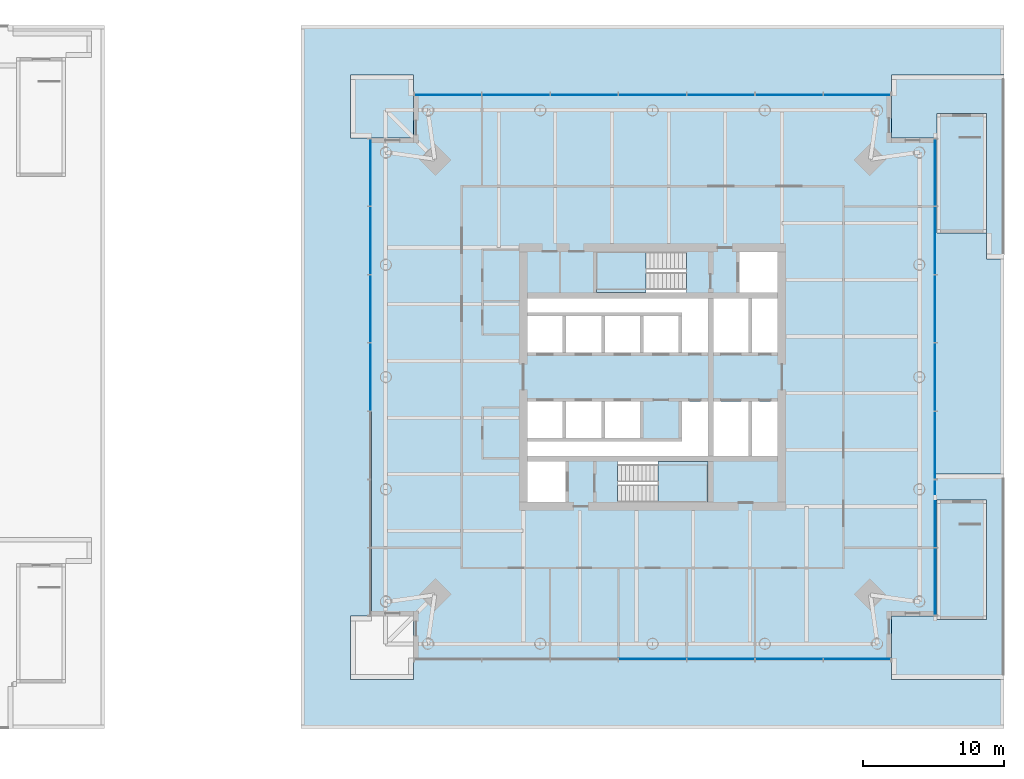
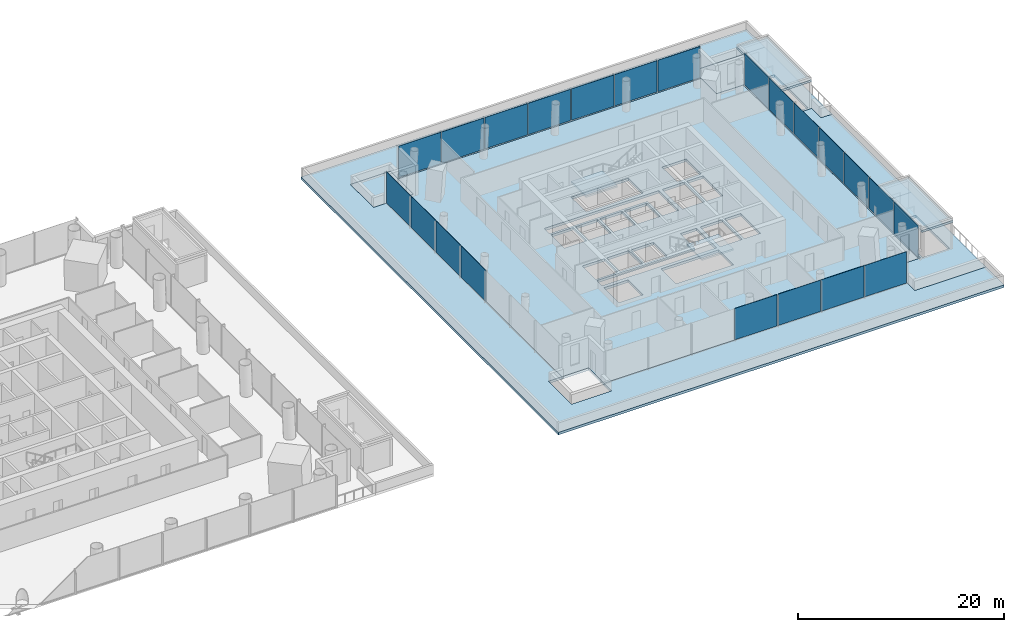
# One storey, part 8 of 19: 22 plates, 11 slabs, 6 elements without a shape of their own.
"""IFC4 building model written with IfcOpenShell, lengths in metres."""

from ifc_helpers import new_model, si_unit, direction, frame, origin, origin_2d, place, context, subcontext, project, spatial, polyline, rectangle, outline, extrude, material, layer, layer_set, type_object, element, aggregate, save


model = new_model("IFC4")

# Units and contexts
model_context = context("Model", 3, precision=1e-05, world=origin(), true_north=direction((0.0, 1.0)))
body_context = subcontext(model_context, "Body", "Model", "MODEL_VIEW")
ifc_project = project(units=[si_unit("LENGTHUNIT", "METRE"), si_unit("AREAUNIT", "SQUARE_METRE"), si_unit("VOLUMEUNIT", "CUBIC_METRE"), si_unit("PLANEANGLEUNIT", "RADIAN"), si_unit("MASSUNIT", "GRAM", prefix="KILO")], contexts=[model_context])

# Site, building, storey
site_placement = place(None, origin())
site = spatial("IfcSite", under=ifc_project, at=site_placement, CompositionType="ELEMENT")
building_placement = place(site_placement, origin())
building = spatial("IfcBuilding", under=site, at=building_placement, Name="Ostroluk Exchange", CompositionType="ELEMENT")
storey_placement = place(building_placement, frame((0.0, 0.0, 21.0)))
storey = spatial("IfcBuildingStorey", under=building, at=storey_placement, Name="L04", CompositionType="ELEMENT", Elevation=21.0)

# Curtain wall, plates
ifc_material_1 = material(Name="Laminated clear glass", Category="glass")
curtain_wall_type = type_object("IfcCurtainWallType", Name="Hotel amenity and plant facade", PredefinedType="USERDEFINED", material=ifc_material_1)
curtain_wall_1_placement = place(storey_placement, origin())
curtain_wall_1 = element("IfcCurtainWall", 1, at=curtain_wall_1_placement, inside=storey, type_object=curtain_wall_type, Name="Hotel tower south facade L04", ObjectType="LOUVRED CURTAIN WALL", PredefinedType="USERDEFINED")
ifc_material_2 = material(Name="Laminated clear glass", Category="glass")
ifc_layer_1 = layer(ifc_material_2, 0.035888671875)
ifc_layer_set_1 = layer_set([ifc_layer_1], Name="Double laminated clear glazing 36")
plate_type = type_object("IfcPlateType", Name="Double laminated clear glazing 36", PredefinedType="CURTAIN_PANEL", material=ifc_layer_set_1)
plate_1_placement = place(storey_placement, frame((117.0, 25.925048828125, 0.080078125), z_axis=(0.0, 0.0, 1.0), x_axis=(1.0, 0.0, 0.0)))
plate_1 = element("IfcPlate", 2, at=plate_1_placement, type_object=plate_type, Name="CW-H2 panel 4.1", PredefinedType="CURTAIN_PANEL", context=body_context, shape_type="SweptSolid", body=[
    extrude(rectangle(XDim=4.777099609375, YDim=0.035888671875, at=origin_2d()), origin(), (0.0, 0.0, 1.0), 3.719970703125),
])
plate_2_placement = place(storey_placement, frame((121.857177734375, 25.925048828125, 0.080078125), z_axis=(0.0, 0.0, 1.0), x_axis=(1.0, 0.0, 0.0)))
plate_2 = element("IfcPlate", 3, at=plate_2_placement, type_object=plate_type, Name="CW-H2 panel 5.1", PredefinedType="CURTAIN_PANEL", context=body_context, shape_type="SweptSolid", body=[
    extrude(rectangle(XDim=4.777099609375, YDim=0.035888671875, at=origin_2d()), origin(), (0.0, 0.0, 1.0), 3.719970703125),
])
plate_3_placement = place(storey_placement, frame((126.71435546875, 25.925048828125, 0.080078125), z_axis=(0.0, 0.0, 1.0), x_axis=(1.0, 0.0, 0.0)))
plate_3 = element("IfcPlate", 4, at=plate_3_placement, type_object=plate_type, Name="CW-H2 panel 6.1", PredefinedType="CURTAIN_PANEL", context=body_context, shape_type="SweptSolid", body=[
    extrude(rectangle(XDim=4.777099609375, YDim=0.035888671875, at=origin_2d()), origin(), (0.0, 0.0, 1.0), 3.719970703125),
])
plate_4_placement = place(storey_placement, frame((131.551513671875, 25.925048828125, 0.080078125), z_axis=(0.0, 0.0, 1.0), x_axis=(1.0, 0.0, 0.0)))
plate_4 = element("IfcPlate", 5, at=plate_4_placement, type_object=plate_type, Name="CW-H2 panel 7.1", PredefinedType="CURTAIN_PANEL", context=body_context, shape_type="SweptSolid", body=[
    extrude(rectangle(XDim=4.737060546875, YDim=0.035888671875, at=origin_2d()), origin(), (0.0, 0.0, 1.0), 3.719970703125),
])
aggregate(curtain_wall_1, [plate_1, plate_2, plate_3, plate_4])

curtain_wall_2_placement = place(storey_placement, origin())
curtain_wall_2 = element("IfcCurtainWall", 6, at=curtain_wall_2_placement, inside=storey, type_object=curtain_wall_type, Name="Hotel tower east facade L04", ObjectType="LOUVRED CURTAIN WALL", PredefinedType="USERDEFINED")
plate_5_placement = place(storey_placement, frame((137.074951171875, 31.448486328125, 0.080078125), z_axis=(0.0, 0.0, 1.0), x_axis=(0.0, 1.0, 0.0)))
plate_5 = element("IfcPlate", 7, at=plate_5_placement, type_object=plate_type, Name="CW-H2 panel 1.1", PredefinedType="CURTAIN_PANEL", context=body_context, shape_type="SweptSolid", body=[
    extrude(rectangle(XDim=4.737060546875, YDim=0.035888671875, at=origin_2d()), origin(), (0.0, 0.0, 1.0), 3.719970703125),
])
plate_6_placement = place(storey_placement, frame((137.074951171875, 36.28564453125, 0.080078125), z_axis=(0.0, 0.0, 1.0), x_axis=(0.0, 1.0, 0.0)))
plate_6 = element("IfcPlate", 8, at=plate_6_placement, type_object=plate_type, Name="CW-H2 panel 2.1", PredefinedType="CURTAIN_PANEL", context=body_context, shape_type="SweptSolid", body=[
    extrude(rectangle(XDim=4.777099609375, YDim=0.035888671875, at=origin_2d()), origin(), (0.0, 0.0, 1.0), 3.719970703125),
])
plate_7_placement = place(storey_placement, frame((137.074951171875, 41.142822265625, 0.080078125), z_axis=(0.0, 0.0, 1.0), x_axis=(0.0, 1.0, 0.0)))
plate_7 = element("IfcPlate", 9, at=plate_7_placement, type_object=plate_type, Name="CW-H2 panel 3.1", PredefinedType="CURTAIN_PANEL", context=body_context, shape_type="SweptSolid", body=[
    extrude(rectangle(XDim=4.777099609375, YDim=0.035888671875, at=origin_2d()), origin(), (0.0, 0.0, 1.0), 3.719970703125),
])
plate_8_placement = place(storey_placement, frame((137.074951171875, 46.0, 0.080078125), z_axis=(0.0, 0.0, 1.0), x_axis=(0.0, 1.0, 0.0)))
plate_8 = element("IfcPlate", 10, at=plate_8_placement, type_object=plate_type, Name="CW-H2 panel 4.1", PredefinedType="CURTAIN_PANEL", context=body_context, shape_type="SweptSolid", body=[
    extrude(rectangle(XDim=4.777099609375, YDim=0.035888671875, at=origin_2d()), origin(), (0.0, 0.0, 1.0), 3.719970703125),
])
plate_9_placement = place(storey_placement, frame((137.074951171875, 50.857177734375, 0.080078125), z_axis=(0.0, 0.0, 1.0), x_axis=(0.0, 1.0, 0.0)))
plate_9 = element("IfcPlate", 11, at=plate_9_placement, type_object=plate_type, Name="CW-H2 panel 5.1", PredefinedType="CURTAIN_PANEL", context=body_context, shape_type="SweptSolid", body=[
    extrude(rectangle(XDim=4.777099609375, YDim=0.035888671875, at=origin_2d()), origin(), (0.0, 0.0, 1.0), 3.719970703125),
])
plate_10_placement = place(storey_placement, frame((137.074951171875, 55.71435546875, 0.080078125), z_axis=(0.0, 0.0, 1.0), x_axis=(0.0, 1.0, 0.0)))
plate_10 = element("IfcPlate", 12, at=plate_10_placement, type_object=plate_type, Name="CW-H2 panel 6.1", PredefinedType="CURTAIN_PANEL", context=body_context, shape_type="SweptSolid", body=[
    extrude(rectangle(XDim=4.777099609375, YDim=0.035888671875, at=origin_2d()), origin(), (0.0, 0.0, 1.0), 3.719970703125),
])
plate_11_placement = place(storey_placement, frame((137.074951171875, 60.551513671875, 0.080078125), z_axis=(0.0, 0.0, 1.0), x_axis=(0.0, 1.0, 0.0)))
plate_11 = element("IfcPlate", 13, at=plate_11_placement, type_object=plate_type, Name="CW-H2 panel 7.1", PredefinedType="CURTAIN_PANEL", context=body_context, shape_type="SweptSolid", body=[
    extrude(rectangle(XDim=4.737060546875, YDim=0.035888671875, at=origin_2d()), origin(), (0.0, 0.0, 1.0), 3.719970703125),
])
aggregate(curtain_wall_2, [plate_5, plate_6, plate_7, plate_8, plate_9, plate_10, plate_11])

curtain_wall_3_placement = place(storey_placement, origin())
curtain_wall_3 = element("IfcCurtainWall", 14, at=curtain_wall_3_placement, inside=storey, type_object=curtain_wall_type, Name="Hotel tower north facade L04", ObjectType="LOUVRED CURTAIN WALL", PredefinedType="USERDEFINED")
plate_12_placement = place(storey_placement, frame((131.551513671875, 66.074951171875, 0.080078125), z_axis=(0.0, 0.0, 1.0), x_axis=(-1.0, 0.0, 0.0)))
plate_12 = element("IfcPlate", 15, at=plate_12_placement, type_object=plate_type, Name="CW-H2 panel 1.1", PredefinedType="CURTAIN_PANEL", context=body_context, shape_type="SweptSolid", body=[
    extrude(rectangle(XDim=4.737060546875, YDim=0.035888671875, at=origin_2d()), origin(), (0.0, 0.0, 1.0), 3.719970703125),
])
plate_13_placement = place(storey_placement, frame((126.71435546875, 66.074951171875, 0.080078125), z_axis=(0.0, 0.0, 1.0), x_axis=(-1.0, 0.0, 0.0)))
plate_13 = element("IfcPlate", 16, at=plate_13_placement, type_object=plate_type, Name="CW-H2 panel 2.1", PredefinedType="CURTAIN_PANEL", context=body_context, shape_type="SweptSolid", body=[
    extrude(rectangle(XDim=4.777099609375, YDim=0.035888671875, at=origin_2d()), origin(), (0.0, 0.0, 1.0), 3.719970703125),
])
plate_14_placement = place(storey_placement, frame((121.857177734375, 66.074951171875, 0.080078125), z_axis=(0.0, 0.0, 1.0), x_axis=(-1.0, 0.0, 0.0)))
plate_14 = element("IfcPlate", 17, at=plate_14_placement, type_object=plate_type, Name="CW-H2 panel 3.1", PredefinedType="CURTAIN_PANEL", context=body_context, shape_type="SweptSolid", body=[
    extrude(rectangle(XDim=4.777099609375, YDim=0.035888671875, at=origin_2d()), origin(), (0.0, 0.0, 1.0), 3.719970703125),
])
plate_15_placement = place(storey_placement, frame((117.0, 66.074951171875, 0.080078125), z_axis=(0.0, 0.0, 1.0), x_axis=(-1.0, 0.0, 0.0)))
plate_15 = element("IfcPlate", 18, at=plate_15_placement, type_object=plate_type, Name="CW-H2 panel 4.1", PredefinedType="CURTAIN_PANEL", context=body_context, shape_type="SweptSolid", body=[
    extrude(rectangle(XDim=4.777099609375, YDim=0.035888671875, at=origin_2d()), origin(), (0.0, 0.0, 1.0), 3.719970703125),
])
plate_16_placement = place(storey_placement, frame((112.142822265625, 66.074951171875, 0.080078125), z_axis=(0.0, 0.0, 1.0), x_axis=(-1.0, 0.0, 0.0)))
plate_16 = element("IfcPlate", 19, at=plate_16_placement, type_object=plate_type, Name="CW-H2 panel 5.1", PredefinedType="CURTAIN_PANEL", context=body_context, shape_type="SweptSolid", body=[
    extrude(rectangle(XDim=4.777099609375, YDim=0.035888671875, at=origin_2d()), origin(), (0.0, 0.0, 1.0), 3.719970703125),
])
plate_17_placement = place(storey_placement, frame((107.28564453125, 66.074951171875, 0.080078125), z_axis=(0.0, 0.0, 1.0), x_axis=(-1.0, 0.0, 0.0)))
plate_17 = element("IfcPlate", 20, at=plate_17_placement, type_object=plate_type, Name="CW-H2 panel 6.1", PredefinedType="CURTAIN_PANEL", context=body_context, shape_type="SweptSolid", body=[
    extrude(rectangle(XDim=4.777099609375, YDim=0.035888671875, at=origin_2d()), origin(), (0.0, 0.0, 1.0), 3.719970703125),
])
plate_18_placement = place(storey_placement, frame((102.448486328125, 66.074951171875, 0.080078125), z_axis=(0.0, 0.0, 1.0), x_axis=(-1.0, 0.0, 0.0)))
plate_18 = element("IfcPlate", 21, at=plate_18_placement, type_object=plate_type, Name="CW-H2 panel 7.1", PredefinedType="CURTAIN_PANEL", context=body_context, shape_type="SweptSolid", body=[
    extrude(rectangle(XDim=4.737060546875, YDim=0.035888671875, at=origin_2d()), origin(), (0.0, 0.0, 1.0), 3.719970703125),
])
aggregate(curtain_wall_3, [plate_12, plate_13, plate_14, plate_15, plate_16, plate_17, plate_18])

curtain_wall_4_placement = place(storey_placement, origin())
curtain_wall_4 = element("IfcCurtainWall", 22, at=curtain_wall_4_placement, inside=storey, type_object=curtain_wall_type, Name="Hotel tower west facade L04", ObjectType="LOUVRED CURTAIN WALL", PredefinedType="USERDEFINED")
plate_19_placement = place(storey_placement, frame((96.925048828125, 60.551513671875, 0.080078125), z_axis=(0.0, 0.0, 1.0), x_axis=(0.0, -1.0, 0.0)))
plate_19 = element("IfcPlate", 23, at=plate_19_placement, type_object=plate_type, Name="CW-H2 panel 1.1", PredefinedType="CURTAIN_PANEL", context=body_context, shape_type="SweptSolid", body=[
    extrude(rectangle(XDim=4.737060546875, YDim=0.035888671875, at=origin_2d()), origin(), (0.0, 0.0, 1.0), 3.719970703125),
])
plate_20_placement = place(storey_placement, frame((96.925048828125, 55.71435546875, 0.080078125), z_axis=(0.0, 0.0, 1.0), x_axis=(0.0, -1.0, 0.0)))
plate_20 = element("IfcPlate", 24, at=plate_20_placement, type_object=plate_type, Name="CW-H2 panel 2.1", PredefinedType="CURTAIN_PANEL", context=body_context, shape_type="SweptSolid", body=[
    extrude(rectangle(XDim=4.777099609375, YDim=0.035888671875, at=origin_2d()), origin(), (0.0, 0.0, 1.0), 3.719970703125),
])
plate_21_placement = place(storey_placement, frame((96.925048828125, 50.857177734375, 0.080078125), z_axis=(0.0, 0.0, 1.0), x_axis=(0.0, -1.0, 0.0)))
plate_21 = element("IfcPlate", 25, at=plate_21_placement, type_object=plate_type, Name="CW-H2 panel 3.1", PredefinedType="CURTAIN_PANEL", context=body_context, shape_type="SweptSolid", body=[
    extrude(rectangle(XDim=4.777099609375, YDim=0.035888671875, at=origin_2d()), origin(), (0.0, 0.0, 1.0), 3.719970703125),
])
plate_22_placement = place(storey_placement, frame((96.925048828125, 46.0, 0.080078125), z_axis=(0.0, 0.0, 1.0), x_axis=(0.0, -1.0, 0.0)))
plate_22 = element("IfcPlate", 26, at=plate_22_placement, type_object=plate_type, Name="CW-H2 panel 4.1", PredefinedType="CURTAIN_PANEL", context=body_context, shape_type="SweptSolid", body=[
    extrude(rectangle(XDim=4.777099609375, YDim=0.035888671875, at=origin_2d()), origin(), (0.0, 0.0, 1.0), 3.719970703125),
])
aggregate(curtain_wall_4, [plate_19, plate_20, plate_21, plate_22])

# Slabs
ifc_material_3 = material(Name="Concrete C35/45", Category="concrete")
ifc_layer_2 = layer(ifc_material_3, 0.300048828125)
ifc_layer_set_2 = layer_set([ifc_layer_2], Name="Extensive green roof slab 300")
slab_type_1 = type_object("IfcSlabType", Name="Extensive green roof slab 300", PredefinedType="ROOF", material=ifc_layer_set_2)
slab_1_placement = place(storey_placement, frame((0.0, 0.0, -0.300048828125)))
element("IfcSlab", 27, at=slab_1_placement, inside=storey, type_object=slab_type_1, Name="Green roof slab L04 east", PredefinedType="ROOF", context=body_context, shape_type="SweptSolid", body=[
    extrude(outline(polyline([(142.0, 71.0), (142.0, 67.5), (134.0, 67.5), (134.0, 66.0), (100.0, 66.0), (100.0, 67.5), (95.5, 67.5), (95.5, 63.0), (97.0, 63.0), (97.0, 29.0), (95.5, 29.0), (95.5, 24.5), (100.0, 24.5), (100.0, 26.0), (134.0, 26.0), (134.0, 24.5), (142.0, 24.5), (142.0, 21.0), (92.0, 21.0), (92.0, 71.0), (142.0, 71.0)])), origin(), (0.0, 0.0, 1.0), 0.300048828125),
])
slab_2_placement = place(storey_placement, frame((0.0, 0.0, -0.300048828125)))
element("IfcSlab", 28, at=slab_2_placement, inside=storey, type_object=slab_type_1, Name="Green roof slab L04 east", PredefinedType="ROOF", context=body_context, shape_type="SweptSolid", body=[
    extrude(outline(polyline([(142.0, 39.10009765625), (137.0, 39.10009765625), (137.0, 63.0), (137.25, 63.0), (137.25, 56.25), (140.75, 56.25), (140.75, 54.39990234375), (142.0, 54.39990234375), (142.0, 39.10009765625)])), origin(), (0.0, 0.0, 1.0), 0.300048828125),
])
slab_3_placement = place(storey_placement, frame((0.0, 0.0, -0.300048828125)))
element("IfcSlab", 29, at=slab_3_placement, inside=storey, type_object=slab_type_1, Name="Green roof slab L04 east", PredefinedType="ROOF", context=body_context, shape_type="SweptSolid", body=[
    extrude(outline(polyline([(137.0, 37.25), (137.25, 37.25), (137.25, 29.0), (137.0, 29.0), (137.0, 37.25)])), origin(), (0.0, 0.0, 1.0), 0.300048828125),
])
ifc_material_4 = material(Name="Concrete C35/45", Category="concrete")
ifc_layer_3 = layer(ifc_material_4, 0.300048828125)
ifc_layer_set_3 = layer_set([ifc_layer_3], Name="Podium terrace slab 300")
slab_type_2 = type_object("IfcSlabType", Name="Podium terrace slab 300", PredefinedType="ROOF", material=ifc_layer_set_3)
slab_4_placement = place(storey_placement, frame((0.0, 0.0, -0.300048828125)))
element("IfcSlab", 30, at=slab_4_placement, inside=storey, type_object=slab_type_2, Name="Terrace slab L04 east", PredefinedType="ROOF", context=body_context, shape_type="SweptSolid", body=[
    extrude(outline(polyline([(142.0, 67.5), (142.0, 54.39990234375), (140.75, 54.39990234375), (140.75, 56.25), (137.25, 56.25), (137.25, 63.0), (134.0, 63.0), (134.0, 67.5), (142.0, 67.5)]), holes=[polyline([(137.5, 62.989990234375), (137.5, 56.5), (140.5, 56.5), (140.5, 62.989990234375), (137.5, 62.989990234375)])]), origin(), (0.0, 0.0, 1.0), 0.300048828125),
])
slab_5_placement = place(storey_placement, frame((0.0, 0.0, -0.300048828125)))
element("IfcSlab", 31, at=slab_5_placement, inside=storey, type_object=slab_type_2, Name="Terrace slab L04 east", PredefinedType="ROOF", context=body_context, shape_type="SweptSolid", body=[
    extrude(outline(polyline([(142.0, 39.10009765625), (142.0, 24.5), (134.0, 24.5), (134.0, 29.0), (137.25, 29.0), (137.25, 37.25), (137.0, 37.25), (137.0, 39.10009765625), (142.0, 39.10009765625)]), holes=[polyline([(137.5, 29.0), (140.5, 29.0), (140.5, 35.489990234375), (137.5, 35.489990234375), (137.5, 29.0)])]), origin(), (0.0, 0.0, 1.0), 0.300048828125),
])
slab_6_placement = place(storey_placement, frame((0.0, 0.0, -0.300048828125)))
element("IfcSlab", 32, at=slab_6_placement, inside=storey, type_object=slab_type_2, Name="Terrace slab L04 east", PredefinedType="ROOF", context=body_context, shape_type="SweptSolid", body=[
    extrude(outline(polyline([(100.0, 63.0), (95.5, 63.0), (95.5, 67.5), (100.0, 67.5), (100.0, 63.0)])), origin(), (0.0, 0.0, 1.0), 0.300048828125),
])
ifc_material_5 = material(Name="Concrete C35/45", Category="concrete")
ifc_layer_4 = layer(ifc_material_5, 0.25)
ifc_layer_set_4 = layer_set([ifc_layer_4], Name="Stair head-house roof slab 250")
slab_type_3 = type_object("IfcSlabType", Name="Stair head-house roof slab 250", PredefinedType="ROOF", material=ifc_layer_set_4)
slab_7_placement = place(storey_placement, frame((0.0, 0.0, 3.14990234375)))
element("IfcSlab", 33, at=slab_7_placement, inside=storey, type_object=slab_type_3, Name="Stair PS7 head-house roof", PredefinedType="ROOF", context=body_context, shape_type="SweptSolid", body=[
    extrude(outline(polyline([(137.25, 28.75), (140.75, 28.75), (140.75, 37.25), (137.25, 37.25), (137.25, 28.75)])), origin(), (0.0, 0.0, 1.0), 0.25),
])
slab_8_placement = place(storey_placement, frame((0.0, 0.0, 3.14990234375)))
element("IfcSlab", 34, at=slab_8_placement, inside=storey, type_object=slab_type_3, Name="Stair PS8 head-house roof", PredefinedType="ROOF", context=body_context, shape_type="SweptSolid", body=[
    extrude(outline(polyline([(137.25, 56.25), (140.75, 56.25), (140.75, 64.75), (137.25, 64.75), (137.25, 56.25)])), origin(), (0.0, 0.0, 1.0), 0.25),
])

# Stair, slab
ifc_material_6 = material(Name="Concrete C30/37", Category="concrete")
stair_type = type_object("IfcStairType", Name="Exit stair half turn 3800", PredefinedType="HALF_TURN_STAIR", material=ifc_material_6)
stair_1_placement = place(storey_placement, origin())
stair_1 = element("IfcStair", 35, at=stair_1_placement, inside=storey, type_object=stair_type, Name="Stair T2-S1 L04", PredefinedType="HALF_TURN_STAIR")
ifc_material_7 = material(Name="Concrete C30/37", Category="concrete")
ifc_layer_5 = layer(ifc_material_7, 0.199951171875)
ifc_layer_set_5 = layer_set([ifc_layer_5], Name="Stair landing 200")
slab_type_4 = type_object("IfcSlabType", Name="Stair landing 200", PredefinedType="LANDING", material=ifc_layer_set_5)
slab_9_placement = place(storey_placement, frame((0.0, 0.0, 1.699951171875)))
slab_9 = element("IfcSlab", 36, at=slab_9_placement, type_object=slab_type_4, Name="T2-S1 landing 1", PredefinedType="LANDING", context=body_context, shape_type="SweptSolid", body=[
    extrude(outline(polyline([(117.39990234375, 37.10009765625), (117.39990234375, 40.0), (120.929931640625, 40.0), (120.929931640625, 37.10009765625), (117.39990234375, 37.10009765625)])), origin(), (0.0, 0.0, 1.0), 0.199951171875),
])
aggregate(stair_1, [slab_9])

stair_2_placement = place(storey_placement, origin())
stair_2 = element("IfcStair", 37, at=stair_2_placement, inside=storey, type_object=stair_type, Name="Stair T2-S2 L04", PredefinedType="HALF_TURN_STAIR")
slab_10_placement = place(storey_placement, frame((0.0, 0.0, 1.699951171875)))
slab_10 = element("IfcSlab", 38, at=slab_10_placement, type_object=slab_type_4, Name="T2-S2 landing 1", PredefinedType="LANDING", context=body_context, shape_type="SweptSolid", body=[
    extrude(outline(polyline([(116.530029296875, 52.0), (116.530029296875, 54.89990234375), (113.0, 54.89990234375), (113.0, 52.0), (116.530029296875, 52.0)])), origin(), (0.0, 0.0, 1.0), 0.199951171875),
])
aggregate(stair_2, [slab_10])

# Slab
ifc_material_8 = material(Name="Concrete C35/45", Category="concrete")
ifc_layer_6 = layer(ifc_material_8, 0.300048828125)
ifc_layer_set_6 = layer_set([ifc_layer_6], Name="Tower floor slab 300")
slab_type_5 = type_object("IfcSlabType", Name="Tower floor slab 300", PredefinedType="FLOOR", material=ifc_layer_set_6)
slab_11_placement = place(storey_placement, frame((0.0, 0.0, -0.300048828125)))
element("IfcSlab", 39, at=slab_11_placement, inside=storey, type_object=slab_type_5, Name="Hotel tower floor slab L04", PredefinedType="FLOOR", context=body_context, shape_type="SweptSolid", body=[
    extrude(outline(polyline([(100.0, 26.0), (134.0, 26.0), (134.0, 29.0), (137.0, 29.0), (137.0, 63.0), (134.0, 63.0), (134.0, 66.0), (100.0, 66.0), (100.0, 63.0), (97.0, 63.0), (97.0, 29.0), (100.0, 29.0), (100.0, 26.0)]), holes=[polyline([(108.10009765625, 37.10009765625), (110.800048828125, 37.10009765625), (110.800048828125, 40.0), (108.10009765625, 40.0), (108.10009765625, 37.10009765625)]), polyline([(114.510009765625, 37.10009765625), (120.929931640625, 37.10009765625), (120.929931640625, 40.0), (114.510009765625, 40.0), (114.510009765625, 37.10009765625)]), polyline([(113.0, 52.0), (119.419921875, 52.0), (119.419921875, 54.89990234375), (113.0, 54.89990234375), (113.0, 52.0)]), polyline([(123.199951171875, 52.0), (125.89990234375, 52.0), (125.89990234375, 54.89990234375), (123.199951171875, 54.89990234375), (123.199951171875, 52.0)]), polyline([(108.10009765625, 47.75), (110.60009765625, 47.75), (110.60009765625, 50.35009765625), (108.10009765625, 50.35009765625), (108.10009765625, 47.75)]), polyline([(110.85009765625, 47.75), (113.35009765625, 47.75), (113.35009765625, 50.35009765625), (110.85009765625, 50.35009765625), (110.85009765625, 47.75)]), polyline([(113.60009765625, 47.75), (116.10009765625, 47.75), (116.10009765625, 50.35009765625), (113.60009765625, 50.35009765625), (113.60009765625, 47.75)]), polyline([(116.35009765625, 47.75), (118.85009765625, 47.75), (118.85009765625, 50.35009765625), (116.35009765625, 50.35009765625), (116.35009765625, 47.75)]), polyline([(108.10009765625, 41.64990234375), (110.60009765625, 41.64990234375), (110.60009765625, 44.25), (108.10009765625, 44.25), (108.10009765625, 41.64990234375)]), polyline([(110.85009765625, 41.64990234375), (113.35009765625, 41.64990234375), (113.35009765625, 44.25), (110.85009765625, 44.25), (110.85009765625, 41.64990234375)]), polyline([(113.60009765625, 41.64990234375), (116.10009765625, 41.64990234375), (116.10009765625, 44.25), (113.60009765625, 44.25), (113.60009765625, 41.64990234375)]), polyline([(121.330078125, 47.75), (123.830078125, 47.75), (123.830078125, 51.60009765625), (121.330078125, 51.60009765625), (121.330078125, 47.75)]), polyline([(121.330078125, 40.39990234375), (123.830078125, 40.39990234375), (123.830078125, 44.25), (121.330078125, 44.25), (121.330078125, 40.39990234375)]), polyline([(120.929931640625, 51.60009765625), (120.929931640625, 47.75), (119.10009765625, 47.75), (119.10009765625, 50.60009765625), (108.10009765625, 50.60009765625), (108.10009765625, 51.60009765625), (120.929931640625, 51.60009765625)]), polyline([(108.10009765625, 40.39990234375), (108.10009765625, 41.39990234375), (119.10009765625, 41.39990234375), (119.10009765625, 44.25), (120.929931640625, 44.25), (120.929931640625, 40.39990234375), (108.10009765625, 40.39990234375)]), polyline([(124.080078125, 47.75), (125.89990234375, 47.75), (125.89990234375, 51.60009765625), (124.080078125, 51.60009765625), (124.080078125, 47.75)]), polyline([(124.080078125, 40.39990234375), (125.89990234375, 40.39990234375), (125.89990234375, 44.25), (124.080078125, 44.25), (124.080078125, 40.39990234375)])]), origin(), (0.0, 0.0, 1.0), 0.300048828125),
])

save(model, "model.ifc")
